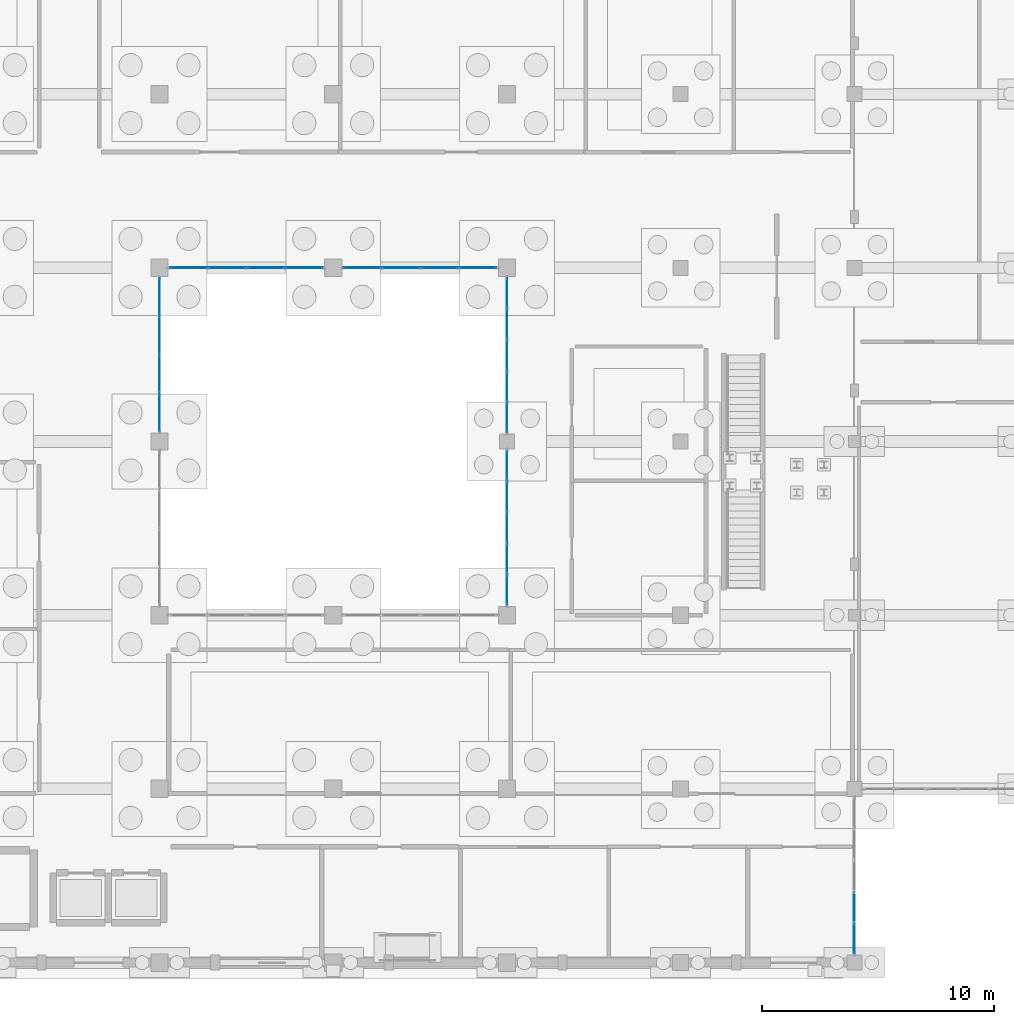
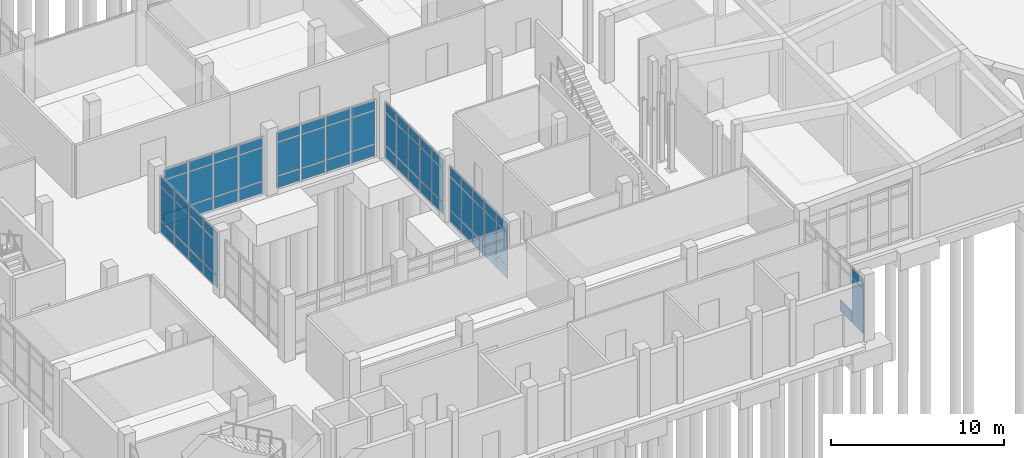
# One storey, part 125 of 173: 70 plates, 6 elements without a shape of their own.
"""IFC4 building model written with IfcOpenShell, lengths in metres."""

from ifc_helpers import new_model, si_unit, direction, frame, origin, origin_2d, place, context, subcontext, project, spatial, rectangle, extrude, material, layer, layer_set, type_object, element, aggregate, save


model = new_model("IFC4")

# Units and contexts
model_context = context("Model", 3, precision=1e-05, world=origin(), true_north=direction((0.0, 1.0)))
body_context = subcontext(model_context, "Body", "Model", "MODEL_VIEW")
ifc_project = project(units=[si_unit("LENGTHUNIT", "METRE"), si_unit("AREAUNIT", "SQUARE_METRE"), si_unit("VOLUMEUNIT", "CUBIC_METRE"), si_unit("PLANEANGLEUNIT", "RADIAN"), si_unit("MASSUNIT", "GRAM", prefix="KILO")], contexts=[model_context])

# Site, building, storey
site_placement = place(None, origin())
site = spatial("IfcSite", under=ifc_project, at=site_placement, CompositionType="ELEMENT")
building_placement = place(site_placement, origin())
building = spatial("IfcBuilding", under=site, at=building_placement, Name="Mawjan Specialist Oncology Clinic", CompositionType="ELEMENT")
storey_placement = place(building_placement, origin())
storey = spatial("IfcBuildingStorey", under=building, at=storey_placement, Name="L00", CompositionType="ELEMENT", Elevation=0.0)

# Curtain wall, plates
ifc_material_1 = material(Name="Unitised spectrally selective aluminium curtain wall", Category="aluminium")
ifc_layer_1 = layer(ifc_material_1, 0.179931640625, Name="Unitised spectrally selective aluminium curtain wall", Category="aluminium")
ifc_layer_set_1 = layer_set([ifc_layer_1], Name="Unitised spectrally selective aluminium curtain wall")
curtain_wall_type_1 = type_object("IfcCurtainWallType", Name="CW-01", PredefinedType="NOTDEFINED", material=ifc_layer_set_1)
curtain_wall_1_placement = place(storey_placement, origin())
curtain_wall_1 = element("IfcCurtainWall", 1, at=curtain_wall_1_placement, inside=storey, type_object=curtain_wall_type_1, Name="L00 Unitised Curtain Wall CW-L00-001", PredefinedType="NOTDEFINED")
ifc_material_2 = material(Name="Spectrally selective double low-E glazing", Category="glass")
ifc_layer_2 = layer(ifc_material_2, 0.035888671875, Name="Spectrally selective double low-E glazing", Category="glass")
ifc_layer_set_2 = layer_set([ifc_layer_2], Name="Spectrally selective double low-E glazing")
plate_type = type_object("IfcPlateType", Name="CW-P36", PredefinedType="CURTAIN_PANEL", material=ifc_layer_set_2)
plate_1_placement = place(storey_placement, frame((45.0, 3.18798828125, 0.06494140625), z_axis=(0.0, 0.0, 1.0), x_axis=(0.0, -1.0, 0.0)))
plate_1 = element("IfcPlate", 2, at=plate_1_placement, type_object=plate_type, Name="CW-01 panel 4.1", PredefinedType="CURTAIN_PANEL", context=body_context, shape_type="SweptSolid", body=[
    extrude(rectangle(XDim=1.297119140625, YDim=0.035888671875, at=origin_2d()), origin(), (0.0, 0.0, 1.0), 0.802490234375),
])
plate_2_placement = place(storey_placement, frame((45.0, 1.84228515625, 0.06494140625), z_axis=(0.0, 0.0, 1.0), x_axis=(0.0, -1.0, 0.0)))
plate_2 = element("IfcPlate", 3, at=plate_2_placement, type_object=plate_type, Name="CW-01 panel 5.1", PredefinedType="CURTAIN_PANEL", context=body_context, shape_type="SweptSolid", body=[
    extrude(rectangle(XDim=1.264404296875, YDim=0.035888671875, at=origin_2d()), origin(), (0.0, 0.0, 1.0), 0.802490234375),
])
plate_3_placement = place(storey_placement, frame((45.0, 1.84228515625, 0.932373046875), z_axis=(0.0, 0.0, 1.0), x_axis=(0.0, -1.0, 0.0)))
plate_3 = element("IfcPlate", 4, at=plate_3_placement, type_object=plate_type, Name="CW-01 panel 5.2", PredefinedType="CURTAIN_PANEL", context=body_context, shape_type="SweptSolid", body=[
    extrude(rectangle(XDim=1.264404296875, YDim=0.035888671875, at=origin_2d()), origin(), (0.0, 0.0, 1.0), 2.27001953125),
])
plate_4_placement = place(storey_placement, frame((45.0, 1.84228515625, 3.267578125), z_axis=(0.0, 0.0, 1.0), x_axis=(0.0, -1.0, 0.0)))
plate_4 = element("IfcPlate", 5, at=plate_4_placement, type_object=plate_type, Name="CW-01 panel 5.3", PredefinedType="CURTAIN_PANEL", context=body_context, shape_type="SweptSolid", body=[
    extrude(rectangle(XDim=1.264404296875, YDim=0.035888671875, at=origin_2d()), origin(), (0.0, 0.0, 1.0), 0.652587890625),
])
aggregate(curtain_wall_1, [plate_1, plate_2, plate_3, plate_4])

ifc_material_3 = material(Name="Unitised spectrally selective aluminium curtain wall", Category="aluminium")
ifc_layer_3 = layer(ifc_material_3, 0.179931640625, Name="Unitised spectrally selective aluminium curtain wall", Category="aluminium")
ifc_layer_set_3 = layer_set([ifc_layer_3], Name="Unitised spectrally selective aluminium curtain wall")
curtain_wall_type_2 = type_object("IfcCurtainWallType", Name="CW-28", PredefinedType="NOTDEFINED", material=ifc_layer_set_3)
curtain_wall_2_placement = place(storey_placement, origin())
curtain_wall_2 = element("IfcCurtainWall", 6, at=curtain_wall_2_placement, inside=storey, type_object=curtain_wall_type_2, Name="L00 Unitised Curtain Wall CW-L00-050", PredefinedType="NOTDEFINED")
plate_5_placement = place(storey_placement, frame((30.0, 16.88720703125, 0.06494140625), z_axis=(0.0, 0.0, 1.0), x_axis=(0.0, 1.0, 0.0)))
plate_5 = element("IfcPlate", 7, at=plate_5_placement, type_object=plate_type, Name="CW-28 panel 1.1", PredefinedType="CURTAIN_PANEL", context=body_context, shape_type="SweptSolid", body=[
    extrude(rectangle(XDim=1.25439453125, YDim=0.035888671875, at=origin_2d()), origin(), (0.0, 0.0, 1.0), 0.802490234375),
])
plate_6_placement = place(storey_placement, frame((30.0, 16.88720703125, 0.932373046875), z_axis=(0.0, 0.0, 1.0), x_axis=(0.0, 1.0, 0.0)))
plate_6 = element("IfcPlate", 8, at=plate_6_placement, type_object=plate_type, Name="CW-28 panel 1.2", PredefinedType="CURTAIN_PANEL", context=body_context, shape_type="SweptSolid", body=[
    extrude(rectangle(XDim=1.25439453125, YDim=0.035888671875, at=origin_2d()), origin(), (0.0, 0.0, 1.0), 2.27001953125),
])
plate_7_placement = place(storey_placement, frame((30.0, 16.88720703125, 3.267578125), z_axis=(0.0, 0.0, 1.0), x_axis=(0.0, 1.0, 0.0)))
plate_7 = element("IfcPlate", 9, at=plate_7_placement, type_object=plate_type, Name="CW-28 panel 1.3", PredefinedType="CURTAIN_PANEL", context=body_context, shape_type="SweptSolid", body=[
    extrude(rectangle(XDim=1.25439453125, YDim=0.035888671875, at=origin_2d()), origin(), (0.0, 0.0, 1.0), 0.652587890625),
])
plate_8_placement = place(storey_placement, frame((30.0, 18.222900390625, 0.06494140625), z_axis=(0.0, 0.0, 1.0), x_axis=(0.0, 1.0, 0.0)))
plate_8 = element("IfcPlate", 10, at=plate_8_placement, type_object=plate_type, Name="CW-28 panel 2.1", PredefinedType="CURTAIN_PANEL", context=body_context, shape_type="SweptSolid", body=[
    extrude(rectangle(XDim=1.287109375, YDim=0.035888671875, at=origin_2d()), origin(), (0.0, 0.0, 1.0), 0.802490234375),
])
plate_9_placement = place(storey_placement, frame((30.0, 18.222900390625, 0.932373046875), z_axis=(0.0, 0.0, 1.0), x_axis=(0.0, 1.0, 0.0)))
plate_9 = element("IfcPlate", 11, at=plate_9_placement, type_object=plate_type, Name="CW-28 panel 2.2", PredefinedType="CURTAIN_PANEL", context=body_context, shape_type="SweptSolid", body=[
    extrude(rectangle(XDim=1.287109375, YDim=0.035888671875, at=origin_2d()), origin(), (0.0, 0.0, 1.0), 2.27001953125),
])
plate_10_placement = place(storey_placement, frame((30.0, 18.222900390625, 3.267578125), z_axis=(0.0, 0.0, 1.0), x_axis=(0.0, 1.0, 0.0)))
plate_10 = element("IfcPlate", 12, at=plate_10_placement, type_object=plate_type, Name="CW-28 panel 2.3", PredefinedType="CURTAIN_PANEL", context=body_context, shape_type="SweptSolid", body=[
    extrude(rectangle(XDim=1.287109375, YDim=0.035888671875, at=origin_2d()), origin(), (0.0, 0.0, 1.0), 0.652587890625),
])
plate_11_placement = place(storey_placement, frame((30.0, 19.574951171875, 0.06494140625), z_axis=(0.0, 0.0, 1.0), x_axis=(0.0, 1.0, 0.0)))
plate_11 = element("IfcPlate", 13, at=plate_11_placement, type_object=plate_type, Name="CW-28 panel 3.1", PredefinedType="CURTAIN_PANEL", context=body_context, shape_type="SweptSolid", body=[
    extrude(rectangle(XDim=1.287109375, YDim=0.035888671875, at=origin_2d()), origin(), (0.0, 0.0, 1.0), 0.802490234375),
])
plate_12_placement = place(storey_placement, frame((30.0, 19.574951171875, 0.932373046875), z_axis=(0.0, 0.0, 1.0), x_axis=(0.0, 1.0, 0.0)))
plate_12 = element("IfcPlate", 14, at=plate_12_placement, type_object=plate_type, Name="CW-28 panel 3.2", PredefinedType="CURTAIN_PANEL", context=body_context, shape_type="SweptSolid", body=[
    extrude(rectangle(XDim=1.287109375, YDim=0.035888671875, at=origin_2d()), origin(), (0.0, 0.0, 1.0), 2.27001953125),
])
plate_13_placement = place(storey_placement, frame((30.0, 19.574951171875, 3.267578125), z_axis=(0.0, 0.0, 1.0), x_axis=(0.0, 1.0, 0.0)))
plate_13 = element("IfcPlate", 15, at=plate_13_placement, type_object=plate_type, Name="CW-28 panel 3.3", PredefinedType="CURTAIN_PANEL", context=body_context, shape_type="SweptSolid", body=[
    extrude(rectangle(XDim=1.287109375, YDim=0.035888671875, at=origin_2d()), origin(), (0.0, 0.0, 1.0), 0.652587890625),
])
plate_14_placement = place(storey_placement, frame((30.0, 20.927001953125, 0.06494140625), z_axis=(0.0, 0.0, 1.0), x_axis=(0.0, 1.0, 0.0)))
plate_14 = element("IfcPlate", 16, at=plate_14_placement, type_object=plate_type, Name="CW-28 panel 4.1", PredefinedType="CURTAIN_PANEL", context=body_context, shape_type="SweptSolid", body=[
    extrude(rectangle(XDim=1.287109375, YDim=0.035888671875, at=origin_2d()), origin(), (0.0, 0.0, 1.0), 0.802490234375),
])
plate_15_placement = place(storey_placement, frame((30.0, 20.927001953125, 0.932373046875), z_axis=(0.0, 0.0, 1.0), x_axis=(0.0, 1.0, 0.0)))
plate_15 = element("IfcPlate", 17, at=plate_15_placement, type_object=plate_type, Name="CW-28 panel 4.2", PredefinedType="CURTAIN_PANEL", context=body_context, shape_type="SweptSolid", body=[
    extrude(rectangle(XDim=1.287109375, YDim=0.035888671875, at=origin_2d()), origin(), (0.0, 0.0, 1.0), 2.27001953125),
])
plate_16_placement = place(storey_placement, frame((30.0, 20.927001953125, 3.267578125), z_axis=(0.0, 0.0, 1.0), x_axis=(0.0, 1.0, 0.0)))
plate_16 = element("IfcPlate", 18, at=plate_16_placement, type_object=plate_type, Name="CW-28 panel 4.3", PredefinedType="CURTAIN_PANEL", context=body_context, shape_type="SweptSolid", body=[
    extrude(rectangle(XDim=1.287109375, YDim=0.035888671875, at=origin_2d()), origin(), (0.0, 0.0, 1.0), 0.652587890625),
])
plate_17_placement = place(storey_placement, frame((30.0, 22.2626953125, 0.06494140625), z_axis=(0.0, 0.0, 1.0), x_axis=(0.0, 1.0, 0.0)))
plate_17 = element("IfcPlate", 19, at=plate_17_placement, type_object=plate_type, Name="CW-28 panel 5.1", PredefinedType="CURTAIN_PANEL", context=body_context, shape_type="SweptSolid", body=[
    extrude(rectangle(XDim=1.25439453125, YDim=0.035888671875, at=origin_2d()), origin(), (0.0, 0.0, 1.0), 0.802490234375),
])
plate_18_placement = place(storey_placement, frame((30.0, 22.2626953125, 0.932373046875), z_axis=(0.0, 0.0, 1.0), x_axis=(0.0, 1.0, 0.0)))
plate_18 = element("IfcPlate", 20, at=plate_18_placement, type_object=plate_type, Name="CW-28 panel 5.2", PredefinedType="CURTAIN_PANEL", context=body_context, shape_type="SweptSolid", body=[
    extrude(rectangle(XDim=1.25439453125, YDim=0.035888671875, at=origin_2d()), origin(), (0.0, 0.0, 1.0), 2.27001953125),
])
plate_19_placement = place(storey_placement, frame((30.0, 22.2626953125, 3.267578125), z_axis=(0.0, 0.0, 1.0), x_axis=(0.0, 1.0, 0.0)))
plate_19 = element("IfcPlate", 21, at=plate_19_placement, type_object=plate_type, Name="CW-28 panel 5.3", PredefinedType="CURTAIN_PANEL", context=body_context, shape_type="SweptSolid", body=[
    extrude(rectangle(XDim=1.25439453125, YDim=0.035888671875, at=origin_2d()), origin(), (0.0, 0.0, 1.0), 0.652587890625),
])
aggregate(curtain_wall_2, [plate_5, plate_6, plate_7, plate_8, plate_9, plate_10, plate_11, plate_12, plate_13, plate_14, plate_15, plate_16, plate_17, plate_18, plate_19])

curtain_wall_3_placement = place(storey_placement, origin())
curtain_wall_3 = element("IfcCurtainWall", 22, at=curtain_wall_3_placement, inside=storey, type_object=curtain_wall_type_2, Name="L00 Unitised Curtain Wall CW-L00-051", PredefinedType="NOTDEFINED")
plate_20_placement = place(storey_placement, frame((30.0, 24.337158203125, 0.06494140625), z_axis=(0.0, 0.0, 1.0), x_axis=(0.0, 1.0, 0.0)))
plate_20 = element("IfcPlate", 23, at=plate_20_placement, type_object=plate_type, Name="CW-28 panel 1.1", PredefinedType="CURTAIN_PANEL", context=body_context, shape_type="SweptSolid", body=[
    extrude(rectangle(XDim=1.25439453125, YDim=0.035888671875, at=origin_2d()), origin(), (0.0, 0.0, 1.0), 0.802490234375),
])
plate_21_placement = place(storey_placement, frame((30.0, 24.337158203125, 0.932373046875), z_axis=(0.0, 0.0, 1.0), x_axis=(0.0, 1.0, 0.0)))
plate_21 = element("IfcPlate", 24, at=plate_21_placement, type_object=plate_type, Name="CW-28 panel 1.2", PredefinedType="CURTAIN_PANEL", context=body_context, shape_type="SweptSolid", body=[
    extrude(rectangle(XDim=1.25439453125, YDim=0.035888671875, at=origin_2d()), origin(), (0.0, 0.0, 1.0), 2.27001953125),
])
plate_22_placement = place(storey_placement, frame((30.0, 24.337158203125, 3.267578125), z_axis=(0.0, 0.0, 1.0), x_axis=(0.0, 1.0, 0.0)))
plate_22 = element("IfcPlate", 25, at=plate_22_placement, type_object=plate_type, Name="CW-28 panel 1.3", PredefinedType="CURTAIN_PANEL", context=body_context, shape_type="SweptSolid", body=[
    extrude(rectangle(XDim=1.25439453125, YDim=0.035888671875, at=origin_2d()), origin(), (0.0, 0.0, 1.0), 0.652587890625),
])
plate_23_placement = place(storey_placement, frame((30.0, 25.673095703125, 0.06494140625), z_axis=(0.0, 0.0, 1.0), x_axis=(0.0, 1.0, 0.0)))
plate_23 = element("IfcPlate", 26, at=plate_23_placement, type_object=plate_type, Name="CW-28 panel 2.1", PredefinedType="CURTAIN_PANEL", context=body_context, shape_type="SweptSolid", body=[
    extrude(rectangle(XDim=1.287109375, YDim=0.035888671875, at=origin_2d()), origin(), (0.0, 0.0, 1.0), 0.802490234375),
])
plate_24_placement = place(storey_placement, frame((30.0, 25.673095703125, 0.932373046875), z_axis=(0.0, 0.0, 1.0), x_axis=(0.0, 1.0, 0.0)))
plate_24 = element("IfcPlate", 27, at=plate_24_placement, type_object=plate_type, Name="CW-28 panel 2.2", PredefinedType="CURTAIN_PANEL", context=body_context, shape_type="SweptSolid", body=[
    extrude(rectangle(XDim=1.287109375, YDim=0.035888671875, at=origin_2d()), origin(), (0.0, 0.0, 1.0), 2.27001953125),
])
plate_25_placement = place(storey_placement, frame((30.0, 25.673095703125, 3.267578125), z_axis=(0.0, 0.0, 1.0), x_axis=(0.0, 1.0, 0.0)))
plate_25 = element("IfcPlate", 28, at=plate_25_placement, type_object=plate_type, Name="CW-28 panel 2.3", PredefinedType="CURTAIN_PANEL", context=body_context, shape_type="SweptSolid", body=[
    extrude(rectangle(XDim=1.287109375, YDim=0.035888671875, at=origin_2d()), origin(), (0.0, 0.0, 1.0), 0.652587890625),
])
plate_26_placement = place(storey_placement, frame((30.0, 27.02490234375, 0.06494140625), z_axis=(0.0, 0.0, 1.0), x_axis=(0.0, 1.0, 0.0)))
plate_26 = element("IfcPlate", 29, at=plate_26_placement, type_object=plate_type, Name="CW-28 panel 3.1", PredefinedType="CURTAIN_PANEL", context=body_context, shape_type="SweptSolid", body=[
    extrude(rectangle(XDim=1.287109375, YDim=0.035888671875, at=origin_2d()), origin(), (0.0, 0.0, 1.0), 0.802490234375),
])
plate_27_placement = place(storey_placement, frame((30.0, 27.02490234375, 0.932373046875), z_axis=(0.0, 0.0, 1.0), x_axis=(0.0, 1.0, 0.0)))
plate_27 = element("IfcPlate", 30, at=plate_27_placement, type_object=plate_type, Name="CW-28 panel 3.2", PredefinedType="CURTAIN_PANEL", context=body_context, shape_type="SweptSolid", body=[
    extrude(rectangle(XDim=1.287109375, YDim=0.035888671875, at=origin_2d()), origin(), (0.0, 0.0, 1.0), 2.27001953125),
])
plate_28_placement = place(storey_placement, frame((30.0, 27.02490234375, 3.267578125), z_axis=(0.0, 0.0, 1.0), x_axis=(0.0, 1.0, 0.0)))
plate_28 = element("IfcPlate", 31, at=plate_28_placement, type_object=plate_type, Name="CW-28 panel 3.3", PredefinedType="CURTAIN_PANEL", context=body_context, shape_type="SweptSolid", body=[
    extrude(rectangle(XDim=1.287109375, YDim=0.035888671875, at=origin_2d()), origin(), (0.0, 0.0, 1.0), 0.652587890625),
])
plate_29_placement = place(storey_placement, frame((30.0, 28.376953125, 0.06494140625), z_axis=(0.0, 0.0, 1.0), x_axis=(0.0, 1.0, 0.0)))
plate_29 = element("IfcPlate", 32, at=plate_29_placement, type_object=plate_type, Name="CW-28 panel 4.1", PredefinedType="CURTAIN_PANEL", context=body_context, shape_type="SweptSolid", body=[
    extrude(rectangle(XDim=1.287109375, YDim=0.035888671875, at=origin_2d()), origin(), (0.0, 0.0, 1.0), 0.802490234375),
])
plate_30_placement = place(storey_placement, frame((30.0, 28.376953125, 0.932373046875), z_axis=(0.0, 0.0, 1.0), x_axis=(0.0, 1.0, 0.0)))
plate_30 = element("IfcPlate", 33, at=plate_30_placement, type_object=plate_type, Name="CW-28 panel 4.2", PredefinedType="CURTAIN_PANEL", context=body_context, shape_type="SweptSolid", body=[
    extrude(rectangle(XDim=1.287109375, YDim=0.035888671875, at=origin_2d()), origin(), (0.0, 0.0, 1.0), 2.27001953125),
])
plate_31_placement = place(storey_placement, frame((30.0, 28.376953125, 3.267578125), z_axis=(0.0, 0.0, 1.0), x_axis=(0.0, 1.0, 0.0)))
plate_31 = element("IfcPlate", 34, at=plate_31_placement, type_object=plate_type, Name="CW-28 panel 4.3", PredefinedType="CURTAIN_PANEL", context=body_context, shape_type="SweptSolid", body=[
    extrude(rectangle(XDim=1.287109375, YDim=0.035888671875, at=origin_2d()), origin(), (0.0, 0.0, 1.0), 0.652587890625),
])
plate_32_placement = place(storey_placement, frame((30.0, 29.712646484375, 0.06494140625), z_axis=(0.0, 0.0, 1.0), x_axis=(0.0, 1.0, 0.0)))
plate_32 = element("IfcPlate", 35, at=plate_32_placement, type_object=plate_type, Name="CW-28 panel 5.1", PredefinedType="CURTAIN_PANEL", context=body_context, shape_type="SweptSolid", body=[
    extrude(rectangle(XDim=1.25439453125, YDim=0.035888671875, at=origin_2d()), origin(), (0.0, 0.0, 1.0), 0.802490234375),
])
plate_33_placement = place(storey_placement, frame((30.0, 29.712646484375, 0.932373046875), z_axis=(0.0, 0.0, 1.0), x_axis=(0.0, 1.0, 0.0)))
plate_33 = element("IfcPlate", 36, at=plate_33_placement, type_object=plate_type, Name="CW-28 panel 5.2", PredefinedType="CURTAIN_PANEL", context=body_context, shape_type="SweptSolid", body=[
    extrude(rectangle(XDim=1.25439453125, YDim=0.035888671875, at=origin_2d()), origin(), (0.0, 0.0, 1.0), 2.27001953125),
])
plate_34_placement = place(storey_placement, frame((30.0, 29.712646484375, 3.267578125), z_axis=(0.0, 0.0, 1.0), x_axis=(0.0, 1.0, 0.0)))
plate_34 = element("IfcPlate", 37, at=plate_34_placement, type_object=plate_type, Name="CW-28 panel 5.3", PredefinedType="CURTAIN_PANEL", context=body_context, shape_type="SweptSolid", body=[
    extrude(rectangle(XDim=1.25439453125, YDim=0.035888671875, at=origin_2d()), origin(), (0.0, 0.0, 1.0), 0.652587890625),
])
aggregate(curtain_wall_3, [plate_20, plate_21, plate_22, plate_23, plate_24, plate_25, plate_26, plate_27, plate_28, plate_29, plate_30, plate_31, plate_32, plate_33, plate_34])

ifc_material_4 = material(Name="Unitised spectrally selective aluminium curtain wall", Category="aluminium")
ifc_layer_4 = layer(ifc_material_4, 0.179931640625, Name="Unitised spectrally selective aluminium curtain wall", Category="aluminium")
ifc_layer_set_4 = layer_set([ifc_layer_4], Name="Unitised spectrally selective aluminium curtain wall")
curtain_wall_type_3 = type_object("IfcCurtainWallType", Name="CW-02", PredefinedType="NOTDEFINED", material=ifc_layer_set_4)
curtain_wall_4_placement = place(storey_placement, origin())
curtain_wall_4 = element("IfcCurtainWall", 38, at=curtain_wall_4_placement, inside=storey, type_object=curtain_wall_type_3, Name="L00 Unitised Curtain Wall CW-L00-052", PredefinedType="NOTDEFINED")
plate_35_placement = place(storey_placement, frame((28.75, 30.800048828125, 0.06494140625), z_axis=(0.0, 0.0, 1.0), x_axis=(-1.0, 0.0, 0.0)))
plate_35 = element("IfcPlate", 39, at=plate_35_placement, type_object=plate_type, Name="CW-02 panel 1.1", PredefinedType="CURTAIN_PANEL", context=body_context, shape_type="SweptSolid", body=[
    extrude(rectangle(XDim=1.580078125, YDim=0.035888671875, at=origin_2d()), origin(), (0.0, 0.0, 1.0), 0.802490234375),
])
plate_36_placement = place(storey_placement, frame((28.75, 30.800048828125, 0.9326171875), z_axis=(0.0, 0.0, 1.0), x_axis=(-1.0, 0.0, 0.0)))
plate_36 = element("IfcPlate", 40, at=plate_36_placement, type_object=plate_type, Name="CW-02 panel 1.2", PredefinedType="CURTAIN_PANEL", context=body_context, shape_type="SweptSolid", body=[
    extrude(rectangle(XDim=1.580078125, YDim=0.035888671875, at=origin_2d()), origin(), (0.0, 0.0, 1.0), 2.320068359375),
])
plate_37_placement = place(storey_placement, frame((28.75, 30.800048828125, 3.3173828125), z_axis=(0.0, 0.0, 1.0), x_axis=(-1.0, 0.0, 0.0)))
plate_37 = element("IfcPlate", 41, at=plate_37_placement, type_object=plate_type, Name="CW-02 panel 1.3", PredefinedType="CURTAIN_PANEL", context=body_context, shape_type="SweptSolid", body=[
    extrude(rectangle(XDim=1.580078125, YDim=0.035888671875, at=origin_2d()), origin(), (0.0, 0.0, 1.0), 0.652587890625),
])
plate_38_placement = place(storey_placement, frame((27.0888671875, 30.800048828125, 0.06494140625), z_axis=(0.0, 0.0, 1.0), x_axis=(-1.0, 0.0, 0.0)))
plate_38 = element("IfcPlate", 42, at=plate_38_placement, type_object=plate_type, Name="CW-02 panel 2.1", PredefinedType="CURTAIN_PANEL", context=body_context, shape_type="SweptSolid", body=[
    extrude(rectangle(XDim=1.612548828125, YDim=0.035888671875, at=origin_2d()), origin(), (0.0, 0.0, 1.0), 0.802490234375),
])
plate_39_placement = place(storey_placement, frame((27.0888671875, 30.800048828125, 0.9326171875), z_axis=(0.0, 0.0, 1.0), x_axis=(-1.0, 0.0, 0.0)))
plate_39 = element("IfcPlate", 43, at=plate_39_placement, type_object=plate_type, Name="CW-02 panel 2.2", PredefinedType="CURTAIN_PANEL", context=body_context, shape_type="SweptSolid", body=[
    extrude(rectangle(XDim=1.612548828125, YDim=0.035888671875, at=origin_2d()), origin(), (0.0, 0.0, 1.0), 2.320068359375),
])
plate_40_placement = place(storey_placement, frame((27.0888671875, 30.800048828125, 3.3173828125), z_axis=(0.0, 0.0, 1.0), x_axis=(-1.0, 0.0, 0.0)))
plate_40 = element("IfcPlate", 44, at=plate_40_placement, type_object=plate_type, Name="CW-02 panel 2.3", PredefinedType="CURTAIN_PANEL", context=body_context, shape_type="SweptSolid", body=[
    extrude(rectangle(XDim=1.612548828125, YDim=0.035888671875, at=origin_2d()), origin(), (0.0, 0.0, 1.0), 0.652587890625),
])
plate_41_placement = place(storey_placement, frame((25.4111328125, 30.800048828125, 0.06494140625), z_axis=(0.0, 0.0, 1.0), x_axis=(-1.0, 0.0, 0.0)))
plate_41 = element("IfcPlate", 45, at=plate_41_placement, type_object=plate_type, Name="CW-02 panel 3.1", PredefinedType="CURTAIN_PANEL", context=body_context, shape_type="SweptSolid", body=[
    extrude(rectangle(XDim=1.612548828125, YDim=0.035888671875, at=origin_2d()), origin(), (0.0, 0.0, 1.0), 0.802490234375),
])
plate_42_placement = place(storey_placement, frame((25.4111328125, 30.800048828125, 0.9326171875), z_axis=(0.0, 0.0, 1.0), x_axis=(-1.0, 0.0, 0.0)))
plate_42 = element("IfcPlate", 46, at=plate_42_placement, type_object=plate_type, Name="CW-02 panel 3.2", PredefinedType="CURTAIN_PANEL", context=body_context, shape_type="SweptSolid", body=[
    extrude(rectangle(XDim=1.612548828125, YDim=0.035888671875, at=origin_2d()), origin(), (0.0, 0.0, 1.0), 2.320068359375),
])
plate_43_placement = place(storey_placement, frame((25.4111328125, 30.800048828125, 3.3173828125), z_axis=(0.0, 0.0, 1.0), x_axis=(-1.0, 0.0, 0.0)))
plate_43 = element("IfcPlate", 47, at=plate_43_placement, type_object=plate_type, Name="CW-02 panel 3.3", PredefinedType="CURTAIN_PANEL", context=body_context, shape_type="SweptSolid", body=[
    extrude(rectangle(XDim=1.612548828125, YDim=0.035888671875, at=origin_2d()), origin(), (0.0, 0.0, 1.0), 0.652587890625),
])
plate_44_placement = place(storey_placement, frame((23.75, 30.800048828125, 0.06494140625), z_axis=(0.0, 0.0, 1.0), x_axis=(-1.0, 0.0, 0.0)))
plate_44 = element("IfcPlate", 48, at=plate_44_placement, type_object=plate_type, Name="CW-02 panel 4.1", PredefinedType="CURTAIN_PANEL", context=body_context, shape_type="SweptSolid", body=[
    extrude(rectangle(XDim=1.580078125, YDim=0.035888671875, at=origin_2d()), origin(), (0.0, 0.0, 1.0), 0.802490234375),
])
plate_45_placement = place(storey_placement, frame((23.75, 30.800048828125, 0.9326171875), z_axis=(0.0, 0.0, 1.0), x_axis=(-1.0, 0.0, 0.0)))
plate_45 = element("IfcPlate", 49, at=plate_45_placement, type_object=plate_type, Name="CW-02 panel 4.2", PredefinedType="CURTAIN_PANEL", context=body_context, shape_type="SweptSolid", body=[
    extrude(rectangle(XDim=1.580078125, YDim=0.035888671875, at=origin_2d()), origin(), (0.0, 0.0, 1.0), 2.320068359375),
])
plate_46_placement = place(storey_placement, frame((23.75, 30.800048828125, 3.3173828125), z_axis=(0.0, 0.0, 1.0), x_axis=(-1.0, 0.0, 0.0)))
plate_46 = element("IfcPlate", 50, at=plate_46_placement, type_object=plate_type, Name="CW-02 panel 4.3", PredefinedType="CURTAIN_PANEL", context=body_context, shape_type="SweptSolid", body=[
    extrude(rectangle(XDim=1.580078125, YDim=0.035888671875, at=origin_2d()), origin(), (0.0, 0.0, 1.0), 0.652587890625),
])
aggregate(curtain_wall_4, [plate_35, plate_36, plate_37, plate_38, plate_39, plate_40, plate_41, plate_42, plate_43, plate_44, plate_45, plate_46])

curtain_wall_5_placement = place(storey_placement, origin())
curtain_wall_5 = element("IfcCurtainWall", 51, at=curtain_wall_5_placement, inside=storey, type_object=curtain_wall_type_3, Name="L00 Unitised Curtain Wall CW-L00-053", PredefinedType="NOTDEFINED")
plate_47_placement = place(storey_placement, frame((21.25, 30.800048828125, 0.06494140625), z_axis=(0.0, 0.0, 1.0), x_axis=(-1.0, 0.0, 0.0)))
plate_47 = element("IfcPlate", 52, at=plate_47_placement, type_object=plate_type, Name="CW-02 panel 1.1", PredefinedType="CURTAIN_PANEL", context=body_context, shape_type="SweptSolid", body=[
    extrude(rectangle(XDim=1.580078125, YDim=0.035888671875, at=origin_2d()), origin(), (0.0, 0.0, 1.0), 0.802490234375),
])
plate_48_placement = place(storey_placement, frame((21.25, 30.800048828125, 0.9326171875), z_axis=(0.0, 0.0, 1.0), x_axis=(-1.0, 0.0, 0.0)))
plate_48 = element("IfcPlate", 53, at=plate_48_placement, type_object=plate_type, Name="CW-02 panel 1.2", PredefinedType="CURTAIN_PANEL", context=body_context, shape_type="SweptSolid", body=[
    extrude(rectangle(XDim=1.580078125, YDim=0.035888671875, at=origin_2d()), origin(), (0.0, 0.0, 1.0), 2.320068359375),
])
plate_49_placement = place(storey_placement, frame((21.25, 30.800048828125, 3.3173828125), z_axis=(0.0, 0.0, 1.0), x_axis=(-1.0, 0.0, 0.0)))
plate_49 = element("IfcPlate", 54, at=plate_49_placement, type_object=plate_type, Name="CW-02 panel 1.3", PredefinedType="CURTAIN_PANEL", context=body_context, shape_type="SweptSolid", body=[
    extrude(rectangle(XDim=1.580078125, YDim=0.035888671875, at=origin_2d()), origin(), (0.0, 0.0, 1.0), 0.652587890625),
])
plate_50_placement = place(storey_placement, frame((19.5888671875, 30.800048828125, 0.06494140625), z_axis=(0.0, 0.0, 1.0), x_axis=(-1.0, 0.0, 0.0)))
plate_50 = element("IfcPlate", 55, at=plate_50_placement, type_object=plate_type, Name="CW-02 panel 2.1", PredefinedType="CURTAIN_PANEL", context=body_context, shape_type="SweptSolid", body=[
    extrude(rectangle(XDim=1.612548828125, YDim=0.035888671875, at=origin_2d()), origin(), (0.0, 0.0, 1.0), 0.802490234375),
])
plate_51_placement = place(storey_placement, frame((19.5888671875, 30.800048828125, 0.9326171875), z_axis=(0.0, 0.0, 1.0), x_axis=(-1.0, 0.0, 0.0)))
plate_51 = element("IfcPlate", 56, at=plate_51_placement, type_object=plate_type, Name="CW-02 panel 2.2", PredefinedType="CURTAIN_PANEL", context=body_context, shape_type="SweptSolid", body=[
    extrude(rectangle(XDim=1.612548828125, YDim=0.035888671875, at=origin_2d()), origin(), (0.0, 0.0, 1.0), 2.320068359375),
])
plate_52_placement = place(storey_placement, frame((19.5888671875, 30.800048828125, 3.3173828125), z_axis=(0.0, 0.0, 1.0), x_axis=(-1.0, 0.0, 0.0)))
plate_52 = element("IfcPlate", 57, at=plate_52_placement, type_object=plate_type, Name="CW-02 panel 2.3", PredefinedType="CURTAIN_PANEL", context=body_context, shape_type="SweptSolid", body=[
    extrude(rectangle(XDim=1.612548828125, YDim=0.035888671875, at=origin_2d()), origin(), (0.0, 0.0, 1.0), 0.652587890625),
])
plate_53_placement = place(storey_placement, frame((17.9111328125, 30.800048828125, 0.06494140625), z_axis=(0.0, 0.0, 1.0), x_axis=(-1.0, 0.0, 0.0)))
plate_53 = element("IfcPlate", 58, at=plate_53_placement, type_object=plate_type, Name="CW-02 panel 3.1", PredefinedType="CURTAIN_PANEL", context=body_context, shape_type="SweptSolid", body=[
    extrude(rectangle(XDim=1.612548828125, YDim=0.035888671875, at=origin_2d()), origin(), (0.0, 0.0, 1.0), 0.802490234375),
])
plate_54_placement = place(storey_placement, frame((17.9111328125, 30.800048828125, 0.9326171875), z_axis=(0.0, 0.0, 1.0), x_axis=(-1.0, 0.0, 0.0)))
plate_54 = element("IfcPlate", 59, at=plate_54_placement, type_object=plate_type, Name="CW-02 panel 3.2", PredefinedType="CURTAIN_PANEL", context=body_context, shape_type="SweptSolid", body=[
    extrude(rectangle(XDim=1.612548828125, YDim=0.035888671875, at=origin_2d()), origin(), (0.0, 0.0, 1.0), 2.320068359375),
])
plate_55_placement = place(storey_placement, frame((17.9111328125, 30.800048828125, 3.3173828125), z_axis=(0.0, 0.0, 1.0), x_axis=(-1.0, 0.0, 0.0)))
plate_55 = element("IfcPlate", 60, at=plate_55_placement, type_object=plate_type, Name="CW-02 panel 3.3", PredefinedType="CURTAIN_PANEL", context=body_context, shape_type="SweptSolid", body=[
    extrude(rectangle(XDim=1.612548828125, YDim=0.035888671875, at=origin_2d()), origin(), (0.0, 0.0, 1.0), 0.652587890625),
])
plate_56_placement = place(storey_placement, frame((16.25, 30.800048828125, 0.06494140625), z_axis=(0.0, 0.0, 1.0), x_axis=(-1.0, 0.0, 0.0)))
plate_56 = element("IfcPlate", 61, at=plate_56_placement, type_object=plate_type, Name="CW-02 panel 4.1", PredefinedType="CURTAIN_PANEL", context=body_context, shape_type="SweptSolid", body=[
    extrude(rectangle(XDim=1.580078125, YDim=0.035888671875, at=origin_2d()), origin(), (0.0, 0.0, 1.0), 0.802490234375),
])
plate_57_placement = place(storey_placement, frame((16.25, 30.800048828125, 0.9326171875), z_axis=(0.0, 0.0, 1.0), x_axis=(-1.0, 0.0, 0.0)))
plate_57 = element("IfcPlate", 62, at=plate_57_placement, type_object=plate_type, Name="CW-02 panel 4.2", PredefinedType="CURTAIN_PANEL", context=body_context, shape_type="SweptSolid", body=[
    extrude(rectangle(XDim=1.580078125, YDim=0.035888671875, at=origin_2d()), origin(), (0.0, 0.0, 1.0), 2.320068359375),
])
plate_58_placement = place(storey_placement, frame((16.25, 30.800048828125, 3.3173828125), z_axis=(0.0, 0.0, 1.0), x_axis=(-1.0, 0.0, 0.0)))
plate_58 = element("IfcPlate", 63, at=plate_58_placement, type_object=plate_type, Name="CW-02 panel 4.3", PredefinedType="CURTAIN_PANEL", context=body_context, shape_type="SweptSolid", body=[
    extrude(rectangle(XDim=1.580078125, YDim=0.035888671875, at=origin_2d()), origin(), (0.0, 0.0, 1.0), 0.652587890625),
])
aggregate(curtain_wall_5, [plate_47, plate_48, plate_49, plate_50, plate_51, plate_52, plate_53, plate_54, plate_55, plate_56, plate_57, plate_58])

curtain_wall_6_placement = place(storey_placement, origin())
curtain_wall_6 = element("IfcCurtainWall", 64, at=curtain_wall_6_placement, inside=storey, type_object=curtain_wall_type_3, Name="L00 Unitised Curtain Wall CW-L00-054", PredefinedType="NOTDEFINED")
plate_59_placement = place(storey_placement, frame((15.0, 29.550048828125, 0.06494140625), z_axis=(0.0, 0.0, 1.0), x_axis=(0.0, -1.0, 0.0)))
plate_59 = element("IfcPlate", 65, at=plate_59_placement, type_object=plate_type, Name="CW-02 panel 1.1", PredefinedType="CURTAIN_PANEL", context=body_context, shape_type="SweptSolid", body=[
    extrude(rectangle(XDim=1.580078125, YDim=0.035888671875, at=origin_2d()), origin(), (0.0, 0.0, 1.0), 0.802490234375),
])
plate_60_placement = place(storey_placement, frame((15.0, 29.550048828125, 0.9326171875), z_axis=(0.0, 0.0, 1.0), x_axis=(0.0, -1.0, 0.0)))
plate_60 = element("IfcPlate", 66, at=plate_60_placement, type_object=plate_type, Name="CW-02 panel 1.2", PredefinedType="CURTAIN_PANEL", context=body_context, shape_type="SweptSolid", body=[
    extrude(rectangle(XDim=1.580078125, YDim=0.035888671875, at=origin_2d()), origin(), (0.0, 0.0, 1.0), 2.320068359375),
])
plate_61_placement = place(storey_placement, frame((15.0, 29.550048828125, 3.3173828125), z_axis=(0.0, 0.0, 1.0), x_axis=(0.0, -1.0, 0.0)))
plate_61 = element("IfcPlate", 67, at=plate_61_placement, type_object=plate_type, Name="CW-02 panel 1.3", PredefinedType="CURTAIN_PANEL", context=body_context, shape_type="SweptSolid", body=[
    extrude(rectangle(XDim=1.580078125, YDim=0.035888671875, at=origin_2d()), origin(), (0.0, 0.0, 1.0), 0.652587890625),
])
plate_62_placement = place(storey_placement, frame((15.0, 27.888671875, 0.06494140625), z_axis=(0.0, 0.0, 1.0), x_axis=(0.0, -1.0, 0.0)))
plate_62 = element("IfcPlate", 68, at=plate_62_placement, type_object=plate_type, Name="CW-02 panel 2.1", PredefinedType="CURTAIN_PANEL", context=body_context, shape_type="SweptSolid", body=[
    extrude(rectangle(XDim=1.612548828125, YDim=0.035888671875, at=origin_2d()), origin(), (0.0, 0.0, 1.0), 0.802490234375),
])
plate_63_placement = place(storey_placement, frame((15.0, 27.888671875, 0.9326171875), z_axis=(0.0, 0.0, 1.0), x_axis=(0.0, -1.0, 0.0)))
plate_63 = element("IfcPlate", 69, at=plate_63_placement, type_object=plate_type, Name="CW-02 panel 2.2", PredefinedType="CURTAIN_PANEL", context=body_context, shape_type="SweptSolid", body=[
    extrude(rectangle(XDim=1.612548828125, YDim=0.035888671875, at=origin_2d()), origin(), (0.0, 0.0, 1.0), 2.320068359375),
])
plate_64_placement = place(storey_placement, frame((15.0, 27.888671875, 3.3173828125), z_axis=(0.0, 0.0, 1.0), x_axis=(0.0, -1.0, 0.0)))
plate_64 = element("IfcPlate", 70, at=plate_64_placement, type_object=plate_type, Name="CW-02 panel 2.3", PredefinedType="CURTAIN_PANEL", context=body_context, shape_type="SweptSolid", body=[
    extrude(rectangle(XDim=1.612548828125, YDim=0.035888671875, at=origin_2d()), origin(), (0.0, 0.0, 1.0), 0.652587890625),
])
plate_65_placement = place(storey_placement, frame((15.0, 26.211181640625, 0.06494140625), z_axis=(0.0, 0.0, 1.0), x_axis=(0.0, -1.0, 0.0)))
plate_65 = element("IfcPlate", 71, at=plate_65_placement, type_object=plate_type, Name="CW-02 panel 3.1", PredefinedType="CURTAIN_PANEL", context=body_context, shape_type="SweptSolid", body=[
    extrude(rectangle(XDim=1.612548828125, YDim=0.035888671875, at=origin_2d()), origin(), (0.0, 0.0, 1.0), 0.802490234375),
])
plate_66_placement = place(storey_placement, frame((15.0, 26.211181640625, 0.9326171875), z_axis=(0.0, 0.0, 1.0), x_axis=(0.0, -1.0, 0.0)))
plate_66 = element("IfcPlate", 72, at=plate_66_placement, type_object=plate_type, Name="CW-02 panel 3.2", PredefinedType="CURTAIN_PANEL", context=body_context, shape_type="SweptSolid", body=[
    extrude(rectangle(XDim=1.612548828125, YDim=0.035888671875, at=origin_2d()), origin(), (0.0, 0.0, 1.0), 2.320068359375),
])
plate_67_placement = place(storey_placement, frame((15.0, 26.211181640625, 3.3173828125), z_axis=(0.0, 0.0, 1.0), x_axis=(0.0, -1.0, 0.0)))
plate_67 = element("IfcPlate", 73, at=plate_67_placement, type_object=plate_type, Name="CW-02 panel 3.3", PredefinedType="CURTAIN_PANEL", context=body_context, shape_type="SweptSolid", body=[
    extrude(rectangle(XDim=1.612548828125, YDim=0.035888671875, at=origin_2d()), origin(), (0.0, 0.0, 1.0), 0.652587890625),
])
plate_68_placement = place(storey_placement, frame((15.0, 24.550048828125, 0.06494140625), z_axis=(0.0, 0.0, 1.0), x_axis=(0.0, -1.0, 0.0)))
plate_68 = element("IfcPlate", 74, at=plate_68_placement, type_object=plate_type, Name="CW-02 panel 4.1", PredefinedType="CURTAIN_PANEL", context=body_context, shape_type="SweptSolid", body=[
    extrude(rectangle(XDim=1.580078125, YDim=0.035888671875, at=origin_2d()), origin(), (0.0, 0.0, 1.0), 0.802490234375),
])
plate_69_placement = place(storey_placement, frame((15.0, 24.550048828125, 0.9326171875), z_axis=(0.0, 0.0, 1.0), x_axis=(0.0, -1.0, 0.0)))
plate_69 = element("IfcPlate", 75, at=plate_69_placement, type_object=plate_type, Name="CW-02 panel 4.2", PredefinedType="CURTAIN_PANEL", context=body_context, shape_type="SweptSolid", body=[
    extrude(rectangle(XDim=1.580078125, YDim=0.035888671875, at=origin_2d()), origin(), (0.0, 0.0, 1.0), 2.320068359375),
])
plate_70_placement = place(storey_placement, frame((15.0, 24.550048828125, 3.3173828125), z_axis=(0.0, 0.0, 1.0), x_axis=(0.0, -1.0, 0.0)))
plate_70 = element("IfcPlate", 76, at=plate_70_placement, type_object=plate_type, Name="CW-02 panel 4.3", PredefinedType="CURTAIN_PANEL", context=body_context, shape_type="SweptSolid", body=[
    extrude(rectangle(XDim=1.580078125, YDim=0.035888671875, at=origin_2d()), origin(), (0.0, 0.0, 1.0), 0.652587890625),
])
aggregate(curtain_wall_6, [plate_59, plate_60, plate_61, plate_62, plate_63, plate_64, plate_65, plate_66, plate_67, plate_68, plate_69, plate_70])

save(model, "model.ifc")
